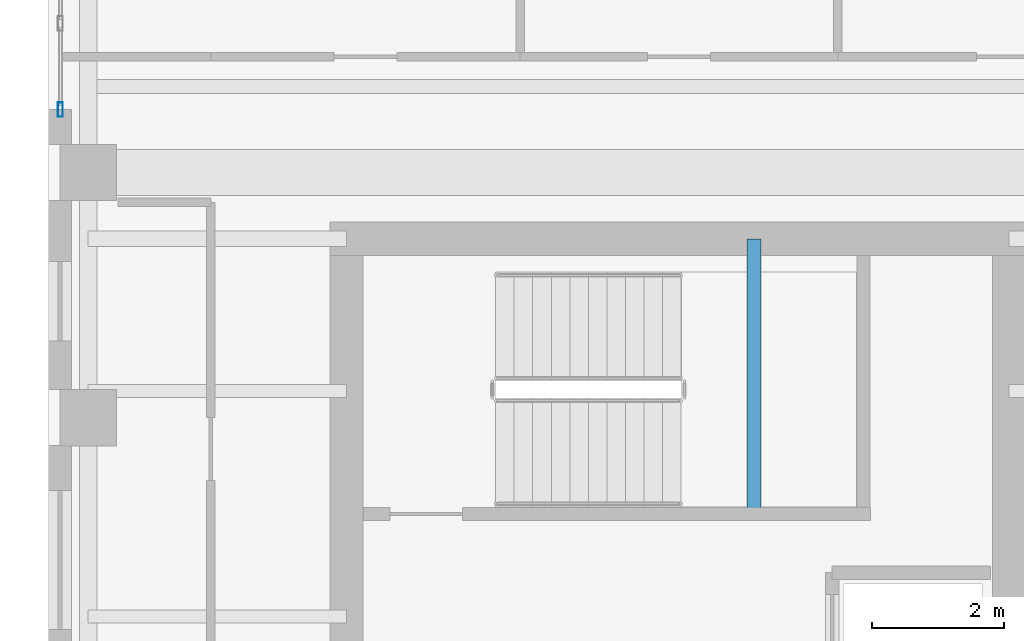
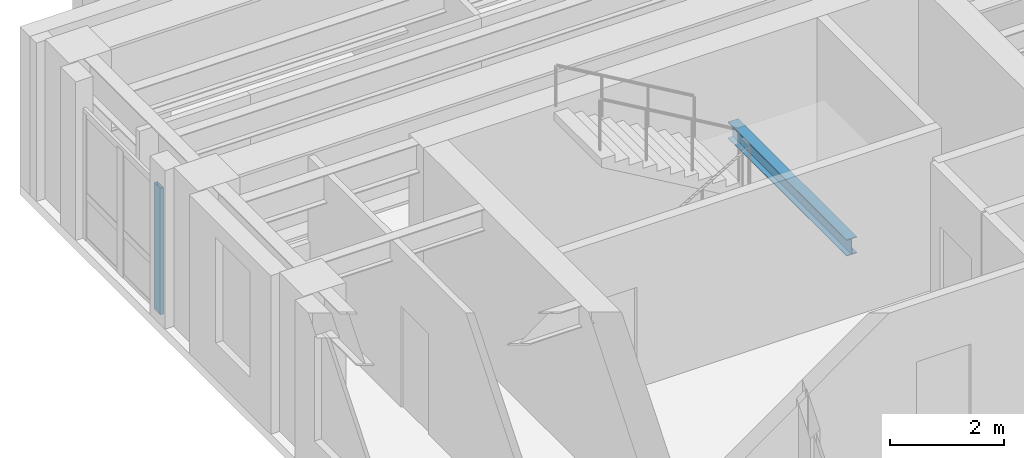
# One storey, part 2 of 13: 1 beam, 1 member, 1 element without a shape of its own.
"""IFC4 building model written with IfcOpenShell, lengths in metres."""

from ifc_helpers import new_model, si_unit, direction, frame, origin, origin_2d, place, context, subcontext, project, spatial, hollow_rectangle, i_section, extrude, source, transform, mapped, material, layer, layer_set, material_profile, profile_set, type_object, element, aggregate, save


model = new_model("IFC4")

# Units and contexts
model_context = context("Model", 3, precision=1e-05, world=origin(), true_north=direction((0.0, 1.0)))
body_context = subcontext(model_context, "Body", "Model", "MODEL_VIEW")
ifc_project = project(units=[si_unit("LENGTHUNIT", "METRE"), si_unit("AREAUNIT", "SQUARE_METRE"), si_unit("VOLUMEUNIT", "CUBIC_METRE"), si_unit("PLANEANGLEUNIT", "RADIAN"), si_unit("MASSUNIT", "GRAM", prefix="KILO")], contexts=[model_context])

# Site, building, storey
site_placement = place(None, origin())
site = spatial("IfcSite", under=ifc_project, at=site_placement, CompositionType="ELEMENT")
building_placement = place(site_placement, origin())
building = spatial("IfcBuilding", under=site, at=building_placement, Name="Kharzan Plaza Tower", CompositionType="ELEMENT")
storey_placement = place(building_placement, frame((0.0, 0.0, 259.199951171875)))
storey = spatial("IfcBuildingStorey", under=building, at=storey_placement, Name="L70", CompositionType="ELEMENT", Elevation=259.199951171875)

# Beam
ifc_material_1 = material(Name="Steel S355", Category="steel")
ifc_material_profile_1 = material_profile(ifc_material_1, i_section(OverallWidth=0.205078125, OverallDepth=0.35400390625, WebThickness=0.009521484375, FlangeThickness=0.016845703125, at=origin_2d()), Name="W360x79")
ifc_profile_set_1 = profile_set([ifc_material_profile_1], Name="Steel S355")
beam_type = type_object("IfcBeamType", Name="BM-LNT360", PredefinedType="LINTEL", material=ifc_profile_set_1)
shared_shape_1 = source(origin(), body_context, "Body", "SweptSolid", [
    extrude(i_section(OverallWidth=0.205078125, OverallDepth=0.35400390625, WebThickness=0.009521484375, FlangeThickness=0.016845703125, at=origin_2d()), origin(), (0.0, 0.0, 1.0), 4.155029296875),
])
beam_placement = place(storey_placement, frame((10.64990234375, 25.344970703125, 1.423095703125), z_axis=(0.0, 1.0, 0.0), x_axis=(-1.0, 0.0, 0.0)))
element("IfcBeam", 1, at=beam_placement, inside=storey, type_object=beam_type, Name="L70 Stair ST-2 Half-Landing Beam", PredefinedType="LINTEL", context=body_context, shape_type="MappedRepresentation", body=[
    mapped(shared_shape_1, transform((0.0, 0.0, 0.0), x_axis=(1.0, 0.0, 0.0), y_axis=(0.0, 1.0, 0.0), z_axis=(0.0, 0.0, 1.0))),
])

# Curtain wall, member
ifc_material_2 = material(Name="Unitised Bronze-Anodized Aluminium and Low-E Glass", Category="aluminium")
ifc_layer = layer(ifc_material_2, 0.199951171875)
ifc_layer_set = layer_set([ifc_layer], Name="Unitised Bronze-Anodized Aluminium and Low-E Glass")
curtain_wall_type = type_object("IfcCurtainWallType", Name="CW-EXEC-5", PredefinedType="NOTDEFINED", material=ifc_layer_set)
curtain_wall_placement = place(storey_placement, origin())
curtain_wall = element("IfcCurtainWall", 2, at=curtain_wall_placement, inside=storey, type_object=curtain_wall_type, Name="L70 Upper Executive Setback Panoramic Curtain Wall", PredefinedType="NOTDEFINED")
ifc_material_3 = material(Name="Anodized Bronze Aluminium", Category="aluminium")
ifc_material_profile_2 = material_profile(ifc_material_3, hollow_rectangle(XDim=0.074951171875, YDim=0.219970703125, WallThickness=0.00390625, at=origin_2d()), Name="ALU-M220x75x4")
ifc_profile_set_2 = profile_set([ifc_material_profile_2], Name="Anodized Bronze Aluminium")
member_type = type_object("IfcMemberType", Name="MEM-CW-MUL200", PredefinedType="MULLION", material=ifc_profile_set_2)
shared_shape_2 = source(origin(), body_context, "Body", "SweptSolid", [
    extrude(hollow_rectangle(XDim=0.074951171875, YDim=0.219970703125, WallThickness=0.00390625, at=origin_2d()), origin(), (0.0, 0.0, 1.0), 2.699951171875),
])
member_placement = place(storey_placement, frame((0.179931640625, 31.449951171875, 0.0), z_axis=(0.0, 0.0, 1.0), x_axis=(1.0, 0.0, 0.0)))
member = element("IfcMember", 3, at=member_placement, type_object=member_type, Name="L70 Curtain-Wall Mullion 00", PredefinedType="MULLION", context=body_context, shape_type="MappedRepresentation", body=[
    mapped(shared_shape_2, transform((0.0, 0.0, 0.0), x_axis=(1.0, 0.0, 0.0), y_axis=(0.0, 1.0, 0.0), z_axis=(0.0, 0.0, 1.0))),
])
aggregate(curtain_wall, [member])

save(model, "model.ifc")
